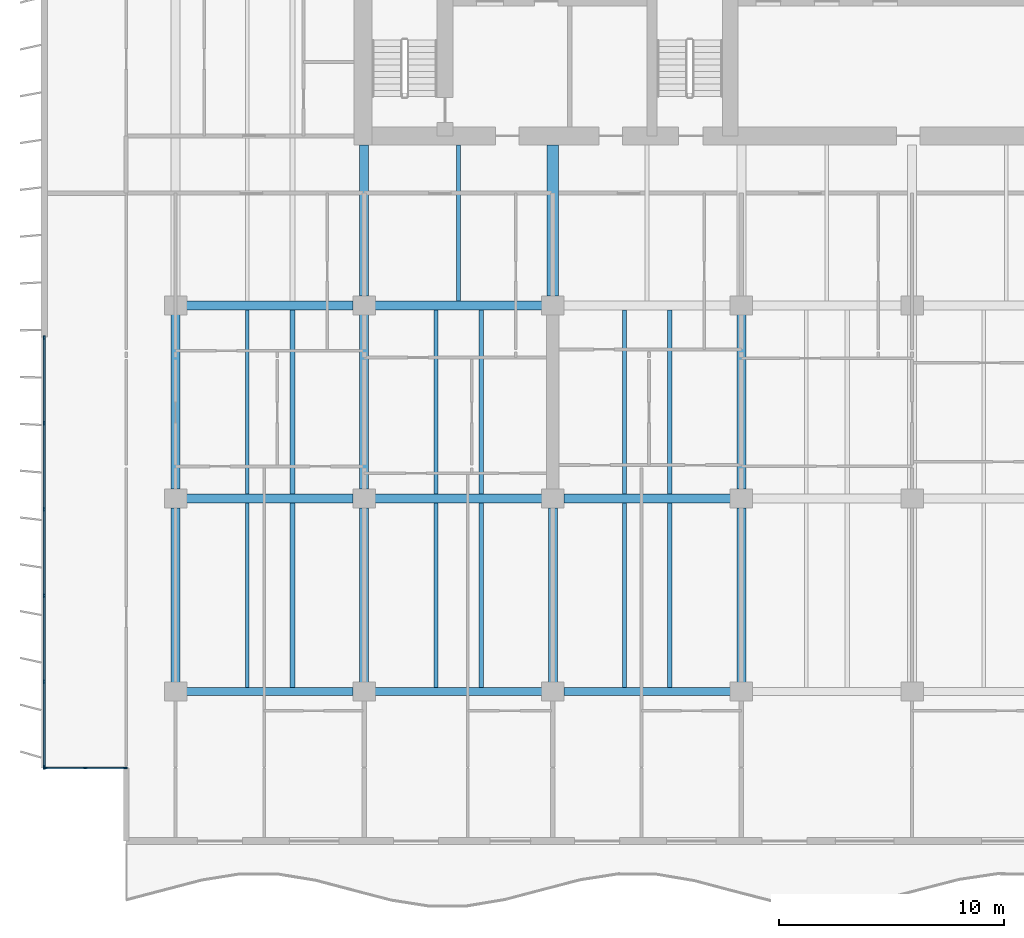
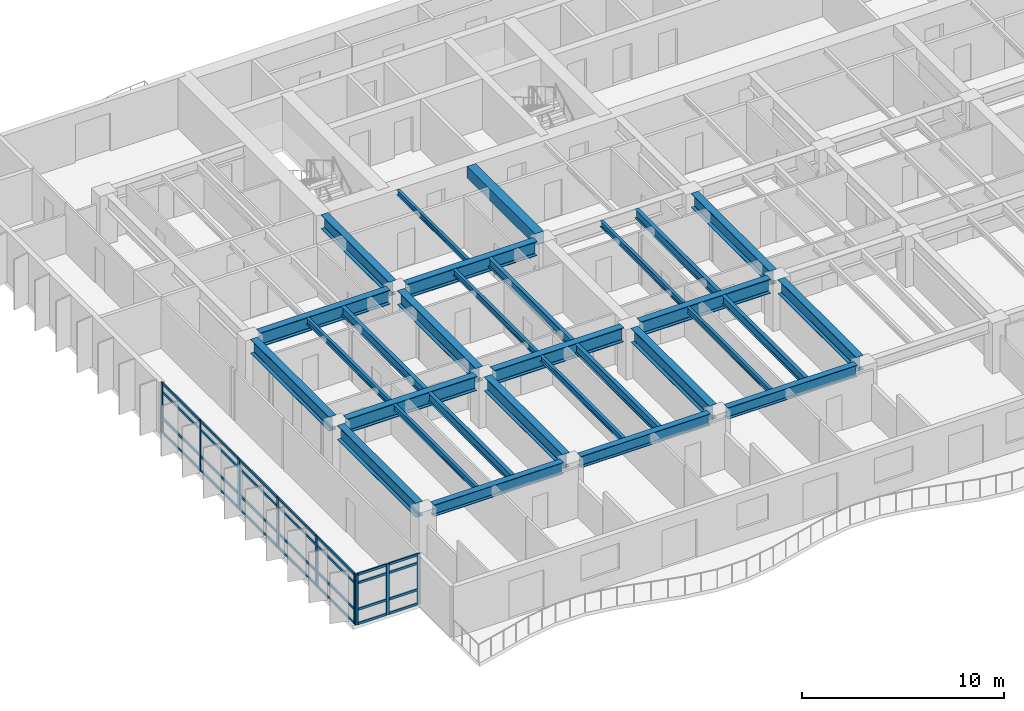
# One storey, part 2 of 17: 37 members, 30 beams, 2 elements without a shape of their own.
"""IFC4 building model written with IfcOpenShell, lengths in metres."""

from ifc_helpers import new_model, si_unit, direction, frame, origin, origin_2d, place, context, subcontext, project, spatial, rectangle, i_section, extrude, material, layer, layer_set, material_profile, profile_set, type_object, element, aggregate, save


model = new_model("IFC4")

# Units and contexts
model_context = context("Model", 3, precision=1e-05, world=origin(), true_north=direction((0.0, 1.0)))
body_context = subcontext(model_context, "Body", "Model", "MODEL_VIEW")
ifc_project = project(units=[si_unit("LENGTHUNIT", "METRE"), si_unit("AREAUNIT", "SQUARE_METRE"), si_unit("VOLUMEUNIT", "CUBIC_METRE"), si_unit("PLANEANGLEUNIT", "RADIAN"), si_unit("MASSUNIT", "GRAM", prefix="KILO")], contexts=[model_context])

# Site, building, storey
site_placement = place(None, origin())
site = spatial("IfcSite", under=ifc_project, at=site_placement, CompositionType="ELEMENT")
building_placement = place(site_placement, origin())
building = spatial("IfcBuilding", under=site, at=building_placement, Name="Caelmar Bay Residences", CompositionType="ELEMENT")
storey_placement = place(building_placement, frame((0.0, 0.0, 87.89990234375)))
storey = spatial("IfcBuildingStorey", under=building, at=storey_placement, Name="L23", CompositionType="ELEMENT", Elevation=87.89990234375)

# Beams
ifc_material_1 = material(Name="Steel ASTM A992 Grade 50", Category="steel")
ifc_material_profile_1 = material_profile(ifc_material_1, i_section(OverallWidth=0.40087890625, OverallDepth=0.861083984375, WebThickness=0.019775390625, FlangeThickness=0.032470703125, FilletRadius=0.017822265625, at=origin_2d()), Name="W33X221")
ifc_profile_set_1 = profile_set([ifc_material_profile_1], Name="Steel ASTM A992 Grade 50")
beam_type_1 = type_object("IfcBeamType", Name="BM-GRD-W33X221", PredefinedType="BEAM", material=ifc_profile_set_1)
beam_1_placement = place(storey_placement, frame((10.389892578125, 20.800048828125, 2.61962890625), z_axis=(1.0, 0.0, 0.0), x_axis=(0.0, 1.0, 0.0)))
element("IfcBeam", 1, at=beam_1_placement, inside=storey, type_object=beam_type_1, Name="L23 East-West Girder Y=20.80 (9.9-18.3)", PredefinedType="BEAM", context=body_context, shape_type="SweptSolid", body=[
    extrude(i_section(OverallWidth=0.40087890625, OverallDepth=0.861083984375, WebThickness=0.019775390625, FlangeThickness=0.032470703125, FilletRadius=0.017822265625, at=origin_2d()), origin(), (0.0, 0.0, 1.0), 7.420166015625),
])
beam_2_placement = place(storey_placement, frame((18.7900390625, 20.800048828125, 2.61962890625), z_axis=(1.0, 0.0, 0.0), x_axis=(0.0, 1.0, 0.0)))
element("IfcBeam", 2, at=beam_2_placement, inside=storey, type_object=beam_type_1, Name="L23 East-West Girder Y=20.80 (18.3-26.7)", PredefinedType="BEAM", context=body_context, shape_type="SweptSolid", body=[
    extrude(i_section(OverallWidth=0.40087890625, OverallDepth=0.861083984375, WebThickness=0.019775390625, FlangeThickness=0.032470703125, FilletRadius=0.017822265625, at=origin_2d()), origin(), (0.0, 0.0, 1.0), 7.419921875),
])
for number, where, z_axis, x_axis, name in (
    (3, (27.18994140625, 20.800048828125, 2.61962890625), (1.0, 0.0, 0.0), (0.0, 1.0, 0.0), "L23 East-West Girder Y=20.80 (26.7-35.1)"),
    (4, (10.389892578125, 29.39990234375, 2.61962890625), (1.0, 0.0, 0.0), (0.0, 1.0, 0.0), "L23 East-West Girder Y=29.40 (9.9-18.3)"),
):
    element("IfcBeam", number, at=place(storey_placement, frame(where, z_axis=z_axis, x_axis=x_axis)), inside=storey, type_object=beam_type_1, Name=name, PredefinedType="BEAM", context=body_context, shape_type="SweptSolid", body=[
        extrude(i_section(OverallWidth=0.40087890625, OverallDepth=0.861083984375, WebThickness=0.019775390625, FlangeThickness=0.032470703125, FilletRadius=0.017822265625, at=origin_2d()), origin(), (0.0, 0.0, 1.0), 7.420166015625),
    ])
beam_3_placement = place(storey_placement, frame((18.7900390625, 29.39990234375, 2.61962890625), z_axis=(1.0, 0.0, 0.0), x_axis=(0.0, 1.0, 0.0)))
element("IfcBeam", 5, at=beam_3_placement, inside=storey, type_object=beam_type_1, Name="L23 East-West Girder Y=29.40 (18.3-26.7)", PredefinedType="BEAM", context=body_context, shape_type="SweptSolid", body=[
    extrude(i_section(OverallWidth=0.40087890625, OverallDepth=0.861083984375, WebThickness=0.019775390625, FlangeThickness=0.032470703125, FilletRadius=0.017822265625, at=origin_2d()), origin(), (0.0, 0.0, 1.0), 7.419921875),
])
for number, where, z_axis, x_axis, name in (
    (6, (9.89990234375, 12.614990234375, 2.61962890625), (0.0, 1.0, 0.0), (-1.0, 0.0, 0.0), "L23 North-South Girder X=9.90 (12.2-20.8)"),
    (7, (9.89990234375, 21.215087890625, 2.61962890625), (0.0, 1.0, 0.0), (-1.0, 0.0, 0.0), "L23 North-South Girder X=9.90 (20.8-29.4)"),
):
    element("IfcBeam", number, at=place(storey_placement, frame(where, z_axis=z_axis, x_axis=x_axis)), inside=storey, type_object=beam_type_1, Name=name, PredefinedType="BEAM", context=body_context, shape_type="SweptSolid", body=[
        extrude(i_section(OverallWidth=0.40087890625, OverallDepth=0.861083984375, WebThickness=0.019775390625, FlangeThickness=0.032470703125, FilletRadius=0.017822265625, at=origin_2d()), origin(), (0.0, 0.0, 1.0), 7.77001953125),
    ])
beam_4_placement = place(storey_placement, frame((18.300048828125, 29.81494140625, 2.61962890625), z_axis=(0.0, 1.0, 0.0), x_axis=(-1.0, 0.0, 0.0)))
element("IfcBeam", 8, at=beam_4_placement, inside=storey, type_object=beam_type_1, Name="L23 Core Tie Girder X=18.30", PredefinedType="BEAM", context=body_context, shape_type="SweptSolid", body=[
    extrude(i_section(OverallWidth=0.40087890625, OverallDepth=0.861083984375, WebThickness=0.019775390625, FlangeThickness=0.032470703125, FilletRadius=0.017822265625, at=origin_2d()), origin(), (0.0, 0.0, 1.0), 6.735107421875),
])
for number, where, z_axis, x_axis, name in (
    (9, (18.300048828125, 12.614990234375, 2.61962890625), (0.0, 1.0, 0.0), (-1.0, 0.0, 0.0), "L23 North-South Girder X=18.30 (12.2-20.8)"),
    (10, (18.300048828125, 21.215087890625, 2.61962890625), (0.0, 1.0, 0.0), (-1.0, 0.0, 0.0), "L23 North-South Girder X=18.30 (20.8-29.4)"),
    (11, (26.699951171875, 12.614990234375, 2.61962890625), (0.0, 1.0, 0.0), (-1.0, 0.0, 0.0), "L23 North-South Girder X=26.70 (12.2-20.8)"),
    (12, (35.10009765625, 12.614990234375, 2.61962890625), (0.0, 1.0, 0.0), (-1.0, 0.0, 0.0), "L23 North-South Girder X=35.10 (12.2-20.8)"),
    (13, (35.10009765625, 21.215087890625, 2.61962890625), (0.0, 1.0, 0.0), (-1.0, 0.0, 0.0), "L23 North-South Girder X=35.10 (20.8-29.4)"),
):
    element("IfcBeam", number, at=place(storey_placement, frame(where, z_axis=z_axis, x_axis=x_axis)), inside=storey, type_object=beam_type_1, Name=name, PredefinedType="BEAM", context=body_context, shape_type="SweptSolid", body=[
        extrude(i_section(OverallWidth=0.40087890625, OverallDepth=0.861083984375, WebThickness=0.019775390625, FlangeThickness=0.032470703125, FilletRadius=0.017822265625, at=origin_2d()), origin(), (0.0, 0.0, 1.0), 7.77001953125),
    ])
ifc_material_profile_2 = material_profile(ifc_material_1, i_section(OverallWidth=0.1650390625, OverallDepth=0.31005859375, WebThickness=0.005859375, FlangeThickness=0.009765625, FilletRadius=0.007568359375, at=origin_2d()), Name="W12X26")
ifc_profile_set_2 = profile_set([ifc_material_profile_2], Name="Steel ASTM A992 Grade 50")
beam_type_2 = type_object("IfcBeamType", Name="BM-JST-W12X26", PredefinedType="JOIST", material=ifc_profile_set_2)
beam_5_placement = place(storey_placement, frame((22.5, 29.6005859375, 2.89501953125), z_axis=(0.0, 1.0, 0.0), x_axis=(-1.0, 0.0, 0.0)))
element("IfcBeam", 14, at=beam_5_placement, inside=storey, type_object=beam_type_2, Name="L23 Core-Band Composite Joist 29", PredefinedType="JOIST", context=body_context, shape_type="SweptSolid", body=[
    extrude(i_section(OverallWidth=0.1650390625, OverallDepth=0.31005859375, WebThickness=0.005859375, FlangeThickness=0.009765625, FilletRadius=0.007568359375, at=origin_2d()), origin(), (0.0, 0.0, 1.0), 6.949462890625),
])
ifc_material_profile_3 = material_profile(ifc_material_1, i_section(OverallWidth=0.1708984375, OverallDepth=0.35595703125, WebThickness=0.007080078125, FlangeThickness=0.01171875, FilletRadius=0.007568359375, at=origin_2d()), Name="W14X34")
ifc_profile_set_3 = profile_set([ifc_material_profile_3], Name="Steel ASTM A992 Grade 50")
beam_type_3 = type_object("IfcBeamType", Name="BM-JST-W14X34", PredefinedType="JOIST", material=ifc_profile_set_3)
for number, where, z_axis, x_axis, name in (
    (15, (13.092041015625, 12.3779296875, 2.8720703125), (0.0, 1.0, 0.0), (-1.0, 0.0, 0.0), "L23 Composite Floor Joist 1"),
    (16, (21.491943359375, 12.3779296875, 2.8720703125), (0.0, 1.0, 0.0), (-1.0, 0.0, 0.0), "L23 Composite Floor Joist 3"),
    (17, (29.89208984375, 12.3779296875, 2.8720703125), (0.0, 1.0, 0.0), (-1.0, 0.0, 0.0), "L23 Composite Floor Joist 5"),
):
    element("IfcBeam", number, at=place(storey_placement, frame(where, z_axis=z_axis, x_axis=x_axis)), inside=storey, type_object=beam_type_3, Name=name, PredefinedType="JOIST", context=body_context, shape_type="SweptSolid", body=[
        extrude(i_section(OverallWidth=0.1708984375, OverallDepth=0.35595703125, WebThickness=0.007080078125, FlangeThickness=0.01171875, FilletRadius=0.007568359375, at=origin_2d()), origin(), (0.0, 0.0, 1.0), 8.2216796875),
    ])
for number, where, z_axis, x_axis, name in (
    (18, (13.092041015625, 21.00048828125, 2.8720703125), (0.0, 1.0, 0.0), (-1.0, 0.0, 0.0), "L23 Composite Floor Joist 15"),
    (19, (21.491943359375, 21.00048828125, 2.8720703125), (0.0, 1.0, 0.0), (-1.0, 0.0, 0.0), "L23 Composite Floor Joist 17"),
    (20, (29.89208984375, 21.00048828125, 2.8720703125), (0.0, 1.0, 0.0), (-1.0, 0.0, 0.0), "L23 Composite Floor Joist 19"),
):
    element("IfcBeam", number, at=place(storey_placement, frame(where, z_axis=z_axis, x_axis=x_axis)), inside=storey, type_object=beam_type_3, Name=name, PredefinedType="JOIST", context=body_context, shape_type="SweptSolid", body=[
        extrude(i_section(OverallWidth=0.1708984375, OverallDepth=0.35595703125, WebThickness=0.007080078125, FlangeThickness=0.01171875, FilletRadius=0.007568359375, at=origin_2d()), origin(), (0.0, 0.0, 1.0), 8.198974609375),
    ])
ifc_material_profile_4 = material_profile(ifc_material_1, i_section(OverallWidth=0.2099609375, OverallDepth=0.535888671875, WebThickness=0.010986328125, FlangeThickness=0.017333984375, FilletRadius=0.0126953125, at=origin_2d()), Name="W21X68")
ifc_profile_set_4 = profile_set([ifc_material_profile_4], Name="Steel ASTM A992 Grade 50")
beam_type_4 = type_object("IfcBeamType", Name="BM-JST-W21X68", PredefinedType="JOIST", material=ifc_profile_set_4)
for number, where, z_axis, x_axis, name in (
    (21, (15.10791015625, 12.3779296875, 2.781982421875), (0.0, 1.0, 0.0), (-1.0, 0.0, 0.0), "L23 Composite Floor Joist 2"),
    (22, (23.508056640625, 12.3779296875, 2.781982421875), (0.0, 1.0, 0.0), (-1.0, 0.0, 0.0), "L23 Composite Floor Joist 4"),
    (23, (31.907958984375, 12.3779296875, 2.781982421875), (0.0, 1.0, 0.0), (-1.0, 0.0, 0.0), "L23 Composite Floor Joist 6"),
):
    element("IfcBeam", number, at=place(storey_placement, frame(where, z_axis=z_axis, x_axis=x_axis)), inside=storey, type_object=beam_type_4, Name=name, PredefinedType="JOIST", context=body_context, shape_type="SweptSolid", body=[
        extrude(i_section(OverallWidth=0.2099609375, OverallDepth=0.535888671875, WebThickness=0.010986328125, FlangeThickness=0.017333984375, FilletRadius=0.0126953125, at=origin_2d()), origin(), (0.0, 0.0, 1.0), 8.2216796875),
    ])
for number, where, z_axis, x_axis, name in (
    (24, (15.10791015625, 21.00048828125, 2.781982421875), (0.0, 1.0, 0.0), (-1.0, 0.0, 0.0), "L23 Composite Floor Joist 16"),
    (25, (23.508056640625, 21.00048828125, 2.781982421875), (0.0, 1.0, 0.0), (-1.0, 0.0, 0.0), "L23 Composite Floor Joist 18"),
    (26, (31.907958984375, 21.00048828125, 2.781982421875), (0.0, 1.0, 0.0), (-1.0, 0.0, 0.0), "L23 Composite Floor Joist 20"),
):
    element("IfcBeam", number, at=place(storey_placement, frame(where, z_axis=z_axis, x_axis=x_axis)), inside=storey, type_object=beam_type_4, Name=name, PredefinedType="JOIST", context=body_context, shape_type="SweptSolid", body=[
        extrude(i_section(OverallWidth=0.2099609375, OverallDepth=0.535888671875, WebThickness=0.010986328125, FlangeThickness=0.017333984375, FilletRadius=0.0126953125, at=origin_2d()), origin(), (0.0, 0.0, 1.0), 8.198974609375),
    ])
ifc_material_2 = material(Name="Concrete f'c 55 MPa (8,000 psi)", Category="concrete")
ifc_material_profile_5 = material_profile(ifc_material_2, rectangle(XDim=0.5, YDim=0.699951171875, at=origin_2d()), Name="RC-BM-500X700")
ifc_profile_set_5 = profile_set([ifc_material_profile_5], Name="Concrete f'c 55 MPa (8,000 psi)")
beam_type_5 = type_object("IfcBeamType", Name="BM-RC-500X700", PredefinedType="LINTEL", material=ifc_profile_set_5)
beam_6_placement = place(storey_placement, frame((26.699951171875, 29.81494140625, 2.7001953125), z_axis=(0.0, 1.0, 0.0), x_axis=(-1.0, 0.0, 0.0)))
element("IfcBeam", 27, at=beam_6_placement, inside=storey, type_object=beam_type_5, Name="L23 Shear-Wall Corridor Coupling Lintel W5", PredefinedType="LINTEL", context=body_context, shape_type="SweptSolid", body=[
    extrude(rectangle(XDim=0.5, YDim=0.699951171875, at=origin_2d()), origin(), (0.0, 0.0, 1.0), 6.735107421875),
])
ifc_material_profile_6 = material_profile(ifc_material_1, i_section(OverallWidth=0.35595703125, OverallDepth=0.696044921875, WebThickness=0.015380859375, FlangeThickness=0.02490234375, FilletRadius=0.01513671875, at=origin_2d()), Name="W27X146")
ifc_profile_set_6 = profile_set([ifc_material_profile_6], Name="Steel ASTM A992 Grade 50")
beam_type_6 = type_object("IfcBeamType", Name="BM-SPN-W27X146", PredefinedType="SPANDREL", material=ifc_profile_set_6)
beam_7_placement = place(storey_placement, frame((10.389892578125, 12.199951171875, 2.7021484375), z_axis=(1.0, 0.0, 0.0), x_axis=(0.0, 1.0, 0.0)))
element("IfcBeam", 28, at=beam_7_placement, inside=storey, type_object=beam_type_6, Name="L23 East-West Girder Y=12.20 (9.9-18.3)", PredefinedType="SPANDREL", context=body_context, shape_type="SweptSolid", body=[
    extrude(i_section(OverallWidth=0.35595703125, OverallDepth=0.696044921875, WebThickness=0.015380859375, FlangeThickness=0.02490234375, FilletRadius=0.01513671875, at=origin_2d()), origin(), (0.0, 0.0, 1.0), 7.420166015625),
])
beam_8_placement = place(storey_placement, frame((18.7900390625, 12.199951171875, 2.7021484375), z_axis=(1.0, 0.0, 0.0), x_axis=(0.0, 1.0, 0.0)))
element("IfcBeam", 29, at=beam_8_placement, inside=storey, type_object=beam_type_6, Name="L23 East-West Girder Y=12.20 (18.3-26.7)", PredefinedType="SPANDREL", context=body_context, shape_type="SweptSolid", body=[
    extrude(i_section(OverallWidth=0.35595703125, OverallDepth=0.696044921875, WebThickness=0.015380859375, FlangeThickness=0.02490234375, FilletRadius=0.01513671875, at=origin_2d()), origin(), (0.0, 0.0, 1.0), 7.419921875),
])
beam_9_placement = place(storey_placement, frame((27.18994140625, 12.199951171875, 2.7021484375), z_axis=(1.0, 0.0, 0.0), x_axis=(0.0, 1.0, 0.0)))
element("IfcBeam", 30, at=beam_9_placement, inside=storey, type_object=beam_type_6, Name="L23 East-West Girder Y=12.20 (26.7-35.1)", PredefinedType="SPANDREL", context=body_context, shape_type="SweptSolid", body=[
    extrude(i_section(OverallWidth=0.35595703125, OverallDepth=0.696044921875, WebThickness=0.015380859375, FlangeThickness=0.02490234375, FilletRadius=0.01513671875, at=origin_2d()), origin(), (0.0, 0.0, 1.0), 7.420166015625),
])

# Curtain wall, members
ifc_material_3 = material(Name="Anodised bronze aluminium 6063-T6 and laminated glass", Category="aluminium")
ifc_layer_1 = layer(ifc_material_3, 0.179931640625)
ifc_layer_set_1 = layer_set([ifc_layer_1], Name="Anodised bronze aluminium 6063-T6 and laminated glass")
curtain_wall_type_1 = type_object("IfcCurtainWallType", Name="CW6-NTC", PredefinedType="NOTDEFINED", material=ifc_layer_set_1)
curtain_wall_1_placement = place(storey_placement, origin())
curtain_wall_1 = element("IfcCurtainWall", 31, at=curtain_wall_1_placement, inside=storey, type_object=curtain_wall_type_1, Name="CW6 curtain wall L23", PredefinedType="NOTDEFINED")
ifc_material_4 = material(Name="Anodised bronze aluminium 6063-T6", Category="aluminium")
ifc_material_profile_7 = material_profile(ifc_material_4, rectangle(XDim=0.080078125, YDim=0.179931640625, at=origin_2d()), Name="CWM-80X180")
ifc_profile_set_7 = profile_set([ifc_material_profile_7], Name="Anodised bronze aluminium 6063-T6")
member_type_1 = type_object("IfcMemberType", Name="CWM-180", PredefinedType="MULLION", material=ifc_profile_set_7)
member_1_placement = place(storey_placement, frame((4.090087890625, 8.800048828125, 0.0), z_axis=(0.0, 0.0, 1.0), x_axis=(0.0, 1.0, 0.0)))
member_1 = element("IfcMember", 32, at=member_1_placement, type_object=member_type_1, Name="CW6 mullion 1", PredefinedType="MULLION", context=body_context, shape_type="SweptSolid", body=[
    extrude(rectangle(XDim=0.080078125, YDim=0.179931640625, at=origin_2d()), origin(), (0.0, 0.0, 1.0), 3.050048828125),
])
member_2_placement = place(storey_placement, frame((5.875, 8.800048828125, 0.0), z_axis=(0.0, 0.0, 1.0), x_axis=(0.0, 1.0, 0.0)))
member_2 = element("IfcMember", 33, at=member_2_placement, type_object=member_type_1, Name="CW6 mullion 2", PredefinedType="MULLION", context=body_context, shape_type="SweptSolid", body=[
    extrude(rectangle(XDim=0.080078125, YDim=0.179931640625, at=origin_2d()), origin(), (0.0, 0.0, 1.0), 3.050048828125),
])
member_3_placement = place(storey_placement, frame((7.659912109375, 8.800048828125, 0.0), z_axis=(0.0, 0.0, 1.0), x_axis=(0.0, 1.0, 0.0)))
member_3 = element("IfcMember", 34, at=member_3_placement, type_object=member_type_1, Name="CW6 mullion 3", PredefinedType="MULLION", context=body_context, shape_type="SweptSolid", body=[
    extrude(rectangle(XDim=0.080078125, YDim=0.179931640625, at=origin_2d()), origin(), (0.0, 0.0, 1.0), 3.050048828125),
])

ifc_layer_2 = layer(ifc_material_3, 0.179931640625)
ifc_layer_set_2 = layer_set([ifc_layer_2], Name="Anodised bronze aluminium 6063-T6 and laminated glass")
curtain_wall_type_2 = type_object("IfcCurtainWallType", Name="CW3-Z2", PredefinedType="NOTDEFINED", material=ifc_layer_set_2)
curtain_wall_2_placement = place(storey_placement, origin())
curtain_wall_2 = element("IfcCurtainWall", 35, at=curtain_wall_2_placement, inside=storey, type_object=curtain_wall_type_2, Name="CW3 curtain wall L23", PredefinedType="NOTDEFINED")
member_4_placement = place(storey_placement, frame((4.050048828125, 8.840087890625, 0.0), z_axis=(0.0, 0.0, 1.0), x_axis=(-1.0, 0.0, 0.0)))
member_4 = element("IfcMember", 36, at=member_4_placement, type_object=member_type_1, Name="CW3 mullion 1", PredefinedType="MULLION", context=body_context, shape_type="SweptSolid", body=[
    extrude(rectangle(XDim=0.080078125, YDim=0.179931640625, at=origin_2d()), origin(), (0.0, 0.0, 1.0), 3.050048828125),
])
member_5_placement = place(storey_placement, frame((4.050048828125, 12.639892578125, 0.0), z_axis=(0.0, 0.0, 1.0), x_axis=(-1.0, 0.0, 0.0)))
member_5 = element("IfcMember", 37, at=member_5_placement, type_object=member_type_1, Name="CW3 mullion 2", PredefinedType="MULLION", context=body_context, shape_type="SweptSolid", body=[
    extrude(rectangle(XDim=0.080078125, YDim=0.179931640625, at=origin_2d()), origin(), (0.0, 0.0, 1.0), 3.050048828125),
])
member_6_placement = place(storey_placement, frame((4.050048828125, 16.47998046875, 0.0), z_axis=(0.0, 0.0, 1.0), x_axis=(-1.0, 0.0, 0.0)))
member_6 = element("IfcMember", 38, at=member_6_placement, type_object=member_type_1, Name="CW3 mullion 3", PredefinedType="MULLION", context=body_context, shape_type="SweptSolid", body=[
    extrude(rectangle(XDim=0.080078125, YDim=0.179931640625, at=origin_2d()), origin(), (0.0, 0.0, 1.0), 3.050048828125),
])
member_7_placement = place(storey_placement, frame((4.050048828125, 20.320068359375, 0.0), z_axis=(0.0, 0.0, 1.0), x_axis=(-1.0, 0.0, 0.0)))
member_7 = element("IfcMember", 39, at=member_7_placement, type_object=member_type_1, Name="CW3 mullion 4", PredefinedType="MULLION", context=body_context, shape_type="SweptSolid", body=[
    extrude(rectangle(XDim=0.080078125, YDim=0.179931640625, at=origin_2d()), origin(), (0.0, 0.0, 1.0), 3.050048828125),
])
member_8_placement = place(storey_placement, frame((4.050048828125, 24.159912109375, 0.0), z_axis=(0.0, 0.0, 1.0), x_axis=(-1.0, 0.0, 0.0)))
member_8 = element("IfcMember", 40, at=member_8_placement, type_object=member_type_1, Name="CW3 mullion 5", PredefinedType="MULLION", context=body_context, shape_type="SweptSolid", body=[
    extrude(rectangle(XDim=0.080078125, YDim=0.179931640625, at=origin_2d()), origin(), (0.0, 0.0, 1.0), 3.050048828125),
])
member_9_placement = place(storey_placement, frame((4.050048828125, 27.9599609375, 0.0), z_axis=(0.0, 0.0, 1.0), x_axis=(-1.0, 0.0, 0.0)))
member_9 = element("IfcMember", 41, at=member_9_placement, type_object=member_type_1, Name="CW3 mullion 6", PredefinedType="MULLION", context=body_context, shape_type="SweptSolid", body=[
    extrude(rectangle(XDim=0.080078125, YDim=0.179931640625, at=origin_2d()), origin(), (0.0, 0.0, 1.0), 3.050048828125),
])

# Member
ifc_material_profile_8 = material_profile(ifc_material_4, rectangle(XDim=0.080078125, YDim=0.139892578125, at=origin_2d()), Name="CWT-80X140")
ifc_profile_set_8 = profile_set([ifc_material_profile_8], Name="Anodised bronze aluminium 6063-T6")
member_type_2 = type_object("IfcMemberType", Name="CWT-140", PredefinedType="NOTDEFINED", material=ifc_profile_set_8)
member_10_placement = place(storey_placement, frame((4.1298828125, 8.800048828125, 0.0400390625), z_axis=(1.0, 0.0, 0.0), x_axis=(0.0, 1.0, 0.0)))
member_10 = element("IfcMember", 42, at=member_10_placement, type_object=member_type_2, Name="CW6 transom 1.1", ObjectType="TRANSOM", PredefinedType="USERDEFINED", context=body_context, shape_type="SweptSolid", body=[
    extrude(rectangle(XDim=0.080078125, YDim=0.139892578125, at=origin_2d()), origin(), (0.0, 0.0, 1.0), 1.705078125),
])

member_11_placement = place(storey_placement, frame((4.1298828125, 8.800048828125, 0.900146484375), z_axis=(1.0, 0.0, 0.0), x_axis=(0.0, 1.0, 0.0)))
member_11 = element("IfcMember", 43, at=member_11_placement, type_object=member_type_2, Name="CW6 transom 1.2", ObjectType="TRANSOM", PredefinedType="USERDEFINED", context=body_context, shape_type="SweptSolid", body=[
    extrude(rectangle(XDim=0.080078125, YDim=0.139892578125, at=origin_2d()), origin(), (0.0, 0.0, 1.0), 1.705078125),
])

member_12_placement = place(storey_placement, frame((4.1298828125, 8.800048828125, 2.5), z_axis=(1.0, 0.0, 0.0), x_axis=(0.0, 1.0, 0.0)))
member_12 = element("IfcMember", 44, at=member_12_placement, type_object=member_type_2, Name="CW6 transom 1.3", ObjectType="TRANSOM", PredefinedType="USERDEFINED", context=body_context, shape_type="SweptSolid", body=[
    extrude(rectangle(XDim=0.080078125, YDim=0.139892578125, at=origin_2d()), origin(), (0.0, 0.0, 1.0), 1.705078125),
])

member_13_placement = place(storey_placement, frame((4.1298828125, 8.800048828125, 3.010009765625), z_axis=(1.0, 0.0, 0.0), x_axis=(0.0, 1.0, 0.0)))
member_13 = element("IfcMember", 45, at=member_13_placement, type_object=member_type_2, Name="CW6 transom 1.4", ObjectType="TRANSOM", PredefinedType="USERDEFINED", context=body_context, shape_type="SweptSolid", body=[
    extrude(rectangle(XDim=0.080078125, YDim=0.139892578125, at=origin_2d()), origin(), (0.0, 0.0, 1.0), 1.705078125),
])

member_14_placement = place(storey_placement, frame((5.9150390625, 8.800048828125, 0.0400390625), z_axis=(1.0, 0.0, 0.0), x_axis=(0.0, 1.0, 0.0)))
member_14 = element("IfcMember", 46, at=member_14_placement, type_object=member_type_2, Name="CW6 transom 2.1", ObjectType="TRANSOM", PredefinedType="USERDEFINED", context=body_context, shape_type="SweptSolid", body=[
    extrude(rectangle(XDim=0.080078125, YDim=0.139892578125, at=origin_2d()), origin(), (0.0, 0.0, 1.0), 1.705078125),
])

member_15_placement = place(storey_placement, frame((5.9150390625, 8.800048828125, 0.900146484375), z_axis=(1.0, 0.0, 0.0), x_axis=(0.0, 1.0, 0.0)))
member_15 = element("IfcMember", 47, at=member_15_placement, type_object=member_type_2, Name="CW6 transom 2.2", ObjectType="TRANSOM", PredefinedType="USERDEFINED", context=body_context, shape_type="SweptSolid", body=[
    extrude(rectangle(XDim=0.080078125, YDim=0.139892578125, at=origin_2d()), origin(), (0.0, 0.0, 1.0), 1.705078125),
])

member_16_placement = place(storey_placement, frame((5.9150390625, 8.800048828125, 2.5), z_axis=(1.0, 0.0, 0.0), x_axis=(0.0, 1.0, 0.0)))
member_16 = element("IfcMember", 48, at=member_16_placement, type_object=member_type_2, Name="CW6 transom 2.3", ObjectType="TRANSOM", PredefinedType="USERDEFINED", context=body_context, shape_type="SweptSolid", body=[
    extrude(rectangle(XDim=0.080078125, YDim=0.139892578125, at=origin_2d()), origin(), (0.0, 0.0, 1.0), 1.705078125),
])

member_17_placement = place(storey_placement, frame((5.9150390625, 8.800048828125, 3.010009765625), z_axis=(1.0, 0.0, 0.0), x_axis=(0.0, 1.0, 0.0)))
member_17 = element("IfcMember", 49, at=member_17_placement, type_object=member_type_2, Name="CW6 transom 2.4", ObjectType="TRANSOM", PredefinedType="USERDEFINED", context=body_context, shape_type="SweptSolid", body=[
    extrude(rectangle(XDim=0.080078125, YDim=0.139892578125, at=origin_2d()), origin(), (0.0, 0.0, 1.0), 1.705078125),
])

aggregate(curtain_wall_1, [member_1, member_2, member_3, member_10, member_11, member_12, member_13, member_14, member_15, member_16, member_17])

member_18_placement = place(storey_placement, frame((4.050048828125, 8.8798828125, 0.0400390625), z_axis=(0.0, 1.0, 0.0), x_axis=(-1.0, 0.0, 0.0)))
member_18 = element("IfcMember", 50, at=member_18_placement, type_object=member_type_2, Name="CW3 transom 1.1", ObjectType="TRANSOM", PredefinedType="USERDEFINED", context=body_context, shape_type="SweptSolid", body=[
    extrude(rectangle(XDim=0.080078125, YDim=0.139892578125, at=origin_2d()), origin(), (0.0, 0.0, 1.0), 3.72021484375),
])

member_19_placement = place(storey_placement, frame((4.050048828125, 8.8798828125, 0.900146484375), z_axis=(0.0, 1.0, 0.0), x_axis=(-1.0, 0.0, 0.0)))
member_19 = element("IfcMember", 51, at=member_19_placement, type_object=member_type_2, Name="CW3 transom 1.2", ObjectType="TRANSOM", PredefinedType="USERDEFINED", context=body_context, shape_type="SweptSolid", body=[
    extrude(rectangle(XDim=0.080078125, YDim=0.139892578125, at=origin_2d()), origin(), (0.0, 0.0, 1.0), 3.72021484375),
])

member_20_placement = place(storey_placement, frame((4.050048828125, 8.8798828125, 2.5), z_axis=(0.0, 1.0, 0.0), x_axis=(-1.0, 0.0, 0.0)))
member_20 = element("IfcMember", 52, at=member_20_placement, type_object=member_type_2, Name="CW3 transom 1.3", ObjectType="TRANSOM", PredefinedType="USERDEFINED", context=body_context, shape_type="SweptSolid", body=[
    extrude(rectangle(XDim=0.080078125, YDim=0.139892578125, at=origin_2d()), origin(), (0.0, 0.0, 1.0), 3.72021484375),
])

member_21_placement = place(storey_placement, frame((4.050048828125, 8.8798828125, 3.010009765625), z_axis=(0.0, 1.0, 0.0), x_axis=(-1.0, 0.0, 0.0)))
member_21 = element("IfcMember", 53, at=member_21_placement, type_object=member_type_2, Name="CW3 transom 1.4", ObjectType="TRANSOM", PredefinedType="USERDEFINED", context=body_context, shape_type="SweptSolid", body=[
    extrude(rectangle(XDim=0.080078125, YDim=0.139892578125, at=origin_2d()), origin(), (0.0, 0.0, 1.0), 3.72021484375),
])

member_22_placement = place(storey_placement, frame((4.050048828125, 12.679931640625, 0.0400390625), z_axis=(0.0, 1.0, 0.0), x_axis=(-1.0, 0.0, 0.0)))
member_22 = element("IfcMember", 54, at=member_22_placement, type_object=member_type_2, Name="CW3 transom 2.1", ObjectType="TRANSOM", PredefinedType="USERDEFINED", context=body_context, shape_type="SweptSolid", body=[
    extrude(rectangle(XDim=0.080078125, YDim=0.139892578125, at=origin_2d()), origin(), (0.0, 0.0, 1.0), 3.760009765625),
])

member_23_placement = place(storey_placement, frame((4.050048828125, 12.679931640625, 0.900146484375), z_axis=(0.0, 1.0, 0.0), x_axis=(-1.0, 0.0, 0.0)))
member_23 = element("IfcMember", 55, at=member_23_placement, type_object=member_type_2, Name="CW3 transom 2.2", ObjectType="TRANSOM", PredefinedType="USERDEFINED", context=body_context, shape_type="SweptSolid", body=[
    extrude(rectangle(XDim=0.080078125, YDim=0.139892578125, at=origin_2d()), origin(), (0.0, 0.0, 1.0), 3.760009765625),
])

member_24_placement = place(storey_placement, frame((4.050048828125, 12.679931640625, 2.5), z_axis=(0.0, 1.0, 0.0), x_axis=(-1.0, 0.0, 0.0)))
member_24 = element("IfcMember", 56, at=member_24_placement, type_object=member_type_2, Name="CW3 transom 2.3", ObjectType="TRANSOM", PredefinedType="USERDEFINED", context=body_context, shape_type="SweptSolid", body=[
    extrude(rectangle(XDim=0.080078125, YDim=0.139892578125, at=origin_2d()), origin(), (0.0, 0.0, 1.0), 3.760009765625),
])

member_25_placement = place(storey_placement, frame((4.050048828125, 12.679931640625, 3.010009765625), z_axis=(0.0, 1.0, 0.0), x_axis=(-1.0, 0.0, 0.0)))
member_25 = element("IfcMember", 57, at=member_25_placement, type_object=member_type_2, Name="CW3 transom 2.4", ObjectType="TRANSOM", PredefinedType="USERDEFINED", context=body_context, shape_type="SweptSolid", body=[
    extrude(rectangle(XDim=0.080078125, YDim=0.139892578125, at=origin_2d()), origin(), (0.0, 0.0, 1.0), 3.760009765625),
])

member_26_placement = place(storey_placement, frame((4.050048828125, 16.52001953125, 0.0400390625), z_axis=(0.0, 1.0, 0.0), x_axis=(-1.0, 0.0, 0.0)))
member_26 = element("IfcMember", 58, at=member_26_placement, type_object=member_type_2, Name="CW3 transom 3.1", ObjectType="TRANSOM", PredefinedType="USERDEFINED", context=body_context, shape_type="SweptSolid", body=[
    extrude(rectangle(XDim=0.080078125, YDim=0.139892578125, at=origin_2d()), origin(), (0.0, 0.0, 1.0), 3.760009765625),
])

member_27_placement = place(storey_placement, frame((4.050048828125, 16.52001953125, 0.900146484375), z_axis=(0.0, 1.0, 0.0), x_axis=(-1.0, 0.0, 0.0)))
member_27 = element("IfcMember", 59, at=member_27_placement, type_object=member_type_2, Name="CW3 transom 3.2", ObjectType="TRANSOM", PredefinedType="USERDEFINED", context=body_context, shape_type="SweptSolid", body=[
    extrude(rectangle(XDim=0.080078125, YDim=0.139892578125, at=origin_2d()), origin(), (0.0, 0.0, 1.0), 3.760009765625),
])

member_28_placement = place(storey_placement, frame((4.050048828125, 16.52001953125, 2.5), z_axis=(0.0, 1.0, 0.0), x_axis=(-1.0, 0.0, 0.0)))
member_28 = element("IfcMember", 60, at=member_28_placement, type_object=member_type_2, Name="CW3 transom 3.3", ObjectType="TRANSOM", PredefinedType="USERDEFINED", context=body_context, shape_type="SweptSolid", body=[
    extrude(rectangle(XDim=0.080078125, YDim=0.139892578125, at=origin_2d()), origin(), (0.0, 0.0, 1.0), 3.760009765625),
])

member_29_placement = place(storey_placement, frame((4.050048828125, 16.52001953125, 3.010009765625), z_axis=(0.0, 1.0, 0.0), x_axis=(-1.0, 0.0, 0.0)))
member_29 = element("IfcMember", 61, at=member_29_placement, type_object=member_type_2, Name="CW3 transom 3.4", ObjectType="TRANSOM", PredefinedType="USERDEFINED", context=body_context, shape_type="SweptSolid", body=[
    extrude(rectangle(XDim=0.080078125, YDim=0.139892578125, at=origin_2d()), origin(), (0.0, 0.0, 1.0), 3.760009765625),
])

member_30_placement = place(storey_placement, frame((4.050048828125, 20.360107421875, 0.0400390625), z_axis=(0.0, 1.0, 0.0), x_axis=(-1.0, 0.0, 0.0)))
member_30 = element("IfcMember", 62, at=member_30_placement, type_object=member_type_2, Name="CW3 transom 4.1", ObjectType="TRANSOM", PredefinedType="USERDEFINED", context=body_context, shape_type="SweptSolid", body=[
    extrude(rectangle(XDim=0.080078125, YDim=0.139892578125, at=origin_2d()), origin(), (0.0, 0.0, 1.0), 3.760009765625),
])

member_31_placement = place(storey_placement, frame((4.050048828125, 20.360107421875, 0.900146484375), z_axis=(0.0, 1.0, 0.0), x_axis=(-1.0, 0.0, 0.0)))
member_31 = element("IfcMember", 63, at=member_31_placement, type_object=member_type_2, Name="CW3 transom 4.2", ObjectType="TRANSOM", PredefinedType="USERDEFINED", context=body_context, shape_type="SweptSolid", body=[
    extrude(rectangle(XDim=0.080078125, YDim=0.139892578125, at=origin_2d()), origin(), (0.0, 0.0, 1.0), 3.760009765625),
])

member_32_placement = place(storey_placement, frame((4.050048828125, 20.360107421875, 2.5), z_axis=(0.0, 1.0, 0.0), x_axis=(-1.0, 0.0, 0.0)))
member_32 = element("IfcMember", 64, at=member_32_placement, type_object=member_type_2, Name="CW3 transom 4.3", ObjectType="TRANSOM", PredefinedType="USERDEFINED", context=body_context, shape_type="SweptSolid", body=[
    extrude(rectangle(XDim=0.080078125, YDim=0.139892578125, at=origin_2d()), origin(), (0.0, 0.0, 1.0), 3.760009765625),
])

member_33_placement = place(storey_placement, frame((4.050048828125, 20.360107421875, 3.010009765625), z_axis=(0.0, 1.0, 0.0), x_axis=(-1.0, 0.0, 0.0)))
member_33 = element("IfcMember", 65, at=member_33_placement, type_object=member_type_2, Name="CW3 transom 4.4", ObjectType="TRANSOM", PredefinedType="USERDEFINED", context=body_context, shape_type="SweptSolid", body=[
    extrude(rectangle(XDim=0.080078125, YDim=0.139892578125, at=origin_2d()), origin(), (0.0, 0.0, 1.0), 3.760009765625),
])

member_34_placement = place(storey_placement, frame((4.050048828125, 24.199951171875, 0.0400390625), z_axis=(0.0, 1.0, 0.0), x_axis=(-1.0, 0.0, 0.0)))
member_34 = element("IfcMember", 66, at=member_34_placement, type_object=member_type_2, Name="CW3 transom 5.1", ObjectType="TRANSOM", PredefinedType="USERDEFINED", context=body_context, shape_type="SweptSolid", body=[
    extrude(rectangle(XDim=0.080078125, YDim=0.139892578125, at=origin_2d()), origin(), (0.0, 0.0, 1.0), 3.719970703125),
])

member_35_placement = place(storey_placement, frame((4.050048828125, 24.199951171875, 0.900146484375), z_axis=(0.0, 1.0, 0.0), x_axis=(-1.0, 0.0, 0.0)))
member_35 = element("IfcMember", 67, at=member_35_placement, type_object=member_type_2, Name="CW3 transom 5.2", ObjectType="TRANSOM", PredefinedType="USERDEFINED", context=body_context, shape_type="SweptSolid", body=[
    extrude(rectangle(XDim=0.080078125, YDim=0.139892578125, at=origin_2d()), origin(), (0.0, 0.0, 1.0), 3.719970703125),
])

member_36_placement = place(storey_placement, frame((4.050048828125, 24.199951171875, 2.5), z_axis=(0.0, 1.0, 0.0), x_axis=(-1.0, 0.0, 0.0)))
member_36 = element("IfcMember", 68, at=member_36_placement, type_object=member_type_2, Name="CW3 transom 5.3", ObjectType="TRANSOM", PredefinedType="USERDEFINED", context=body_context, shape_type="SweptSolid", body=[
    extrude(rectangle(XDim=0.080078125, YDim=0.139892578125, at=origin_2d()), origin(), (0.0, 0.0, 1.0), 3.719970703125),
])

member_37_placement = place(storey_placement, frame((4.050048828125, 24.199951171875, 3.010009765625), z_axis=(0.0, 1.0, 0.0), x_axis=(-1.0, 0.0, 0.0)))
member_37 = element("IfcMember", 69, at=member_37_placement, type_object=member_type_2, Name="CW3 transom 5.4", ObjectType="TRANSOM", PredefinedType="USERDEFINED", context=body_context, shape_type="SweptSolid", body=[
    extrude(rectangle(XDim=0.080078125, YDim=0.139892578125, at=origin_2d()), origin(), (0.0, 0.0, 1.0), 3.719970703125),
])

aggregate(curtain_wall_2, [member_4, member_5, member_6, member_7, member_8, member_9, member_18, member_19, member_20, member_21, member_22, member_23, member_24, member_25, member_26, member_27, member_28, member_29, member_30, member_31, member_32, member_33, member_34, member_35, member_36, member_37])

save(model, "model.ifc")
